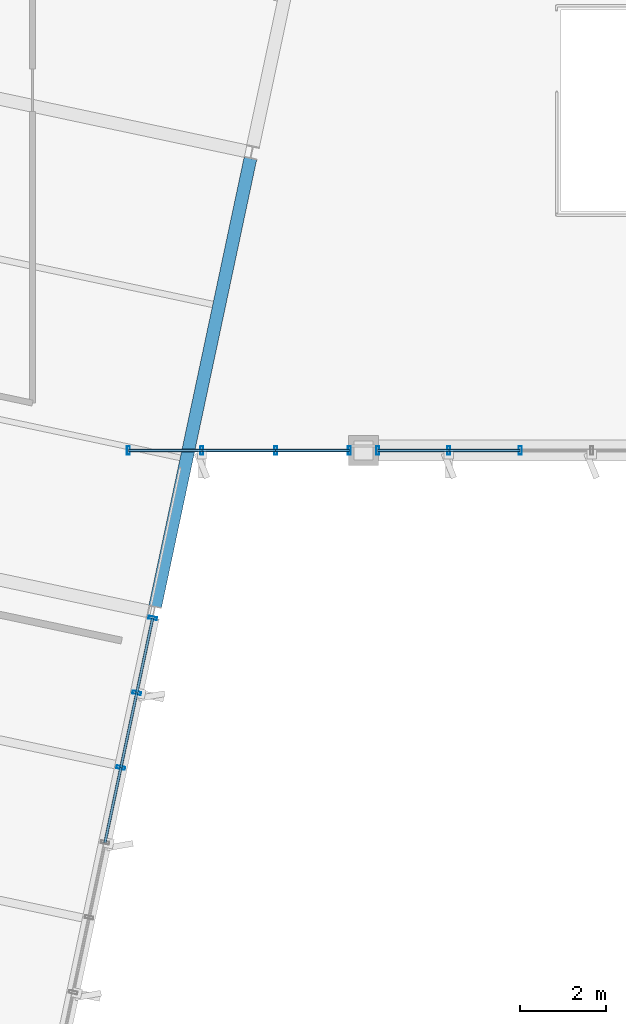
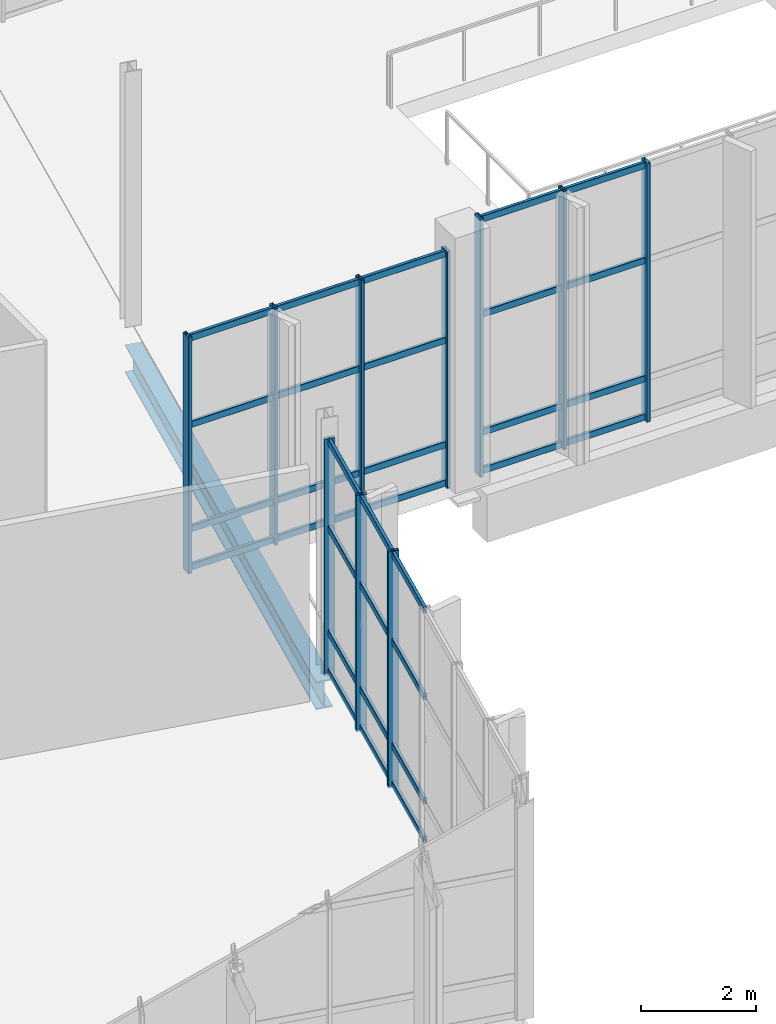
# One storey, part 27 of 176: 42 members, 1 beam, 3 elements without a shape of their own.
"""IFC4 building model written with IfcOpenShell, lengths in metres."""

from ifc_helpers import new_model, si_unit, direction, frame, origin, origin_2d, place, context, subcontext, project, spatial, hollow_rectangle, i_section, extrude, material, layer, layer_set, material_profile, profile_set, type_object, element, aggregate, save


model = new_model("IFC4")

# Units and contexts
model_context = context("Model", 3, precision=1e-05, world=origin(), true_north=direction((0.0, 1.0)))
body_context = subcontext(model_context, "Body", "Model", "MODEL_VIEW")
ifc_project = project(units=[si_unit("LENGTHUNIT", "METRE"), si_unit("AREAUNIT", "SQUARE_METRE"), si_unit("VOLUMEUNIT", "CUBIC_METRE"), si_unit("PLANEANGLEUNIT", "RADIAN"), si_unit("MASSUNIT", "GRAM", prefix="KILO")], contexts=[model_context])

# Site, building, storey
site_placement = place(None, origin())
site = spatial("IfcSite", under=ifc_project, at=site_placement, CompositionType="ELEMENT")
building_placement = place(site_placement, origin())
building = spatial("IfcBuilding", under=site, at=building_placement, Name="Khorjan Park Terminus", CompositionType="ELEMENT")
storey_placement = place(building_placement, frame((0.0, 0.0, 6.0)))
storey = spatial("IfcBuildingStorey", under=building, at=storey_placement, Name="L01", CompositionType="ELEMENT", Elevation=6.0)

# Beam
ifc_material_1 = material(Name="Steel S355", Category="steel")
ifc_material_profile_1 = material_profile(ifc_material_1, i_section(OverallWidth=0.3, OverallDepth=0.59, WebThickness=0.013, FlangeThickness=0.025, FilletRadius=0.027, at=origin_2d()), Name="HEA 600")
ifc_profile_set_1 = profile_set([ifc_material_profile_1], Name="Steel S355")
beam_type = type_object("IfcBeamType", Name="BM-HEA600", PredefinedType="BEAM", material=ifc_profile_set_1)
beam_placement = place(storey_placement, frame((27.1288, 46.3522, -0.655), z_axis=(0.207916823947, 0.978146509639, 0.0), x_axis=(-0.978146509639, 0.207916823947, 0.0)))
element("IfcBeam", 1, at=beam_placement, inside=storey, type_object=beam_type, Name="Primary skew-grid floor girder SB-A60 (L01)", PredefinedType="BEAM", context=body_context, shape_type="SweptSolid", body=[
    extrude(i_section(OverallWidth=0.3, OverallDepth=0.59, WebThickness=0.013, FlangeThickness=0.025, FilletRadius=0.027, at=origin_2d()), origin(), (0.0, 0.0, 1.0), 10.7101),
])

# Curtain wall, members
ifc_material_2 = material(Name="Anodized Bronze Aluminium", Category="aluminium")
ifc_layer = layer(ifc_material_2, 0.22)
ifc_layer_set = layer_set([ifc_layer], Name="Anodized Bronze Aluminium")
curtain_wall_type = type_object("IfcCurtainWallType", Name="CW-PAV-C", PredefinedType="NOTDEFINED", material=ifc_layer_set)
curtain_wall_1_placement = place(storey_placement, origin())
curtain_wall_1 = element("IfcCurtainWall", 2, at=curtain_wall_1_placement, inside=storey, type_object=curtain_wall_type, Name="Unitized curtain wall CW-C (CW-V4L-S-L01-1)", PredefinedType="NOTDEFINED")
ifc_material_profile_2 = material_profile(ifc_material_2, hollow_rectangle(XDim=0.07, YDim=0.2, WallThickness=0.005, InnerFilletRadius=0.005, OuterFilletRadius=0.01, at=origin_2d()), Name="ALM 70x200x5")
ifc_profile_set_2 = profile_set([ifc_material_profile_2], Name="Anodized Bronze Aluminium")
member_type_1 = type_object("IfcMemberType", Name="ML-ALM-200", PredefinedType="MULLION", material=ifc_profile_set_2)
member_1_placement = place(storey_placement, frame((26.5, 50.0, -0.035), z_axis=(0.0, 0.0, 1.0), x_axis=(1.0, 0.0, 0.0)))
member_1 = element("IfcMember", 3, at=member_1_placement, type_object=member_type_1, Name="Curtain-wall mullion ML-20 (CW-V4L-S-L01-1-0)", PredefinedType="MULLION", context=body_context, shape_type="SweptSolid", body=[
    extrude(hollow_rectangle(XDim=0.07, YDim=0.2, WallThickness=0.005, InnerFilletRadius=0.005, OuterFilletRadius=0.01, at=origin_2d()), origin(), (0.0, 0.0, 1.0), 5.0),
])
member_2_placement = place(storey_placement, frame((28.2233, 50.0, -0.035), z_axis=(0.0, 0.0, 1.0), x_axis=(1.0, 0.0, 0.0)))
member_2 = element("IfcMember", 4, at=member_2_placement, type_object=member_type_1, Name="Curtain-wall mullion ML-20 (CW-V4L-S-L01-1-1)", PredefinedType="MULLION", context=body_context, shape_type="SweptSolid", body=[
    extrude(hollow_rectangle(XDim=0.07, YDim=0.2, WallThickness=0.005, InnerFilletRadius=0.005, OuterFilletRadius=0.01, at=origin_2d()), origin(), (0.0, 0.0, 1.0), 5.0),
])
member_3_placement = place(storey_placement, frame((29.9467, 50.0, -0.035), z_axis=(0.0, 0.0, 1.0), x_axis=(1.0, 0.0, 0.0)))
member_3 = element("IfcMember", 5, at=member_3_placement, type_object=member_type_1, Name="Curtain-wall mullion ML-20 (CW-V4L-S-L01-1-2)", PredefinedType="MULLION", context=body_context, shape_type="SweptSolid", body=[
    extrude(hollow_rectangle(XDim=0.07, YDim=0.2, WallThickness=0.005, InnerFilletRadius=0.005, OuterFilletRadius=0.01, at=origin_2d()), origin(), (0.0, 0.0, 1.0), 5.0),
])
member_4_placement = place(storey_placement, frame((31.67, 50.0, -0.035), z_axis=(0.0, 0.0, 1.0), x_axis=(1.0, 0.0, 0.0)))
member_4 = element("IfcMember", 6, at=member_4_placement, type_object=member_type_1, Name="Curtain-wall mullion ML-20 (CW-V4L-S-L01-1-3)", PredefinedType="MULLION", context=body_context, shape_type="SweptSolid", body=[
    extrude(hollow_rectangle(XDim=0.07, YDim=0.2, WallThickness=0.005, InnerFilletRadius=0.005, OuterFilletRadius=0.01, at=origin_2d()), origin(), (0.0, 0.0, 1.0), 5.0),
])

curtain_wall_2_placement = place(storey_placement, origin())
curtain_wall_2 = element("IfcCurtainWall", 7, at=curtain_wall_2_placement, inside=storey, type_object=curtain_wall_type, Name="Unitized curtain wall CW-C (CW-V4L-S-L01-2)", PredefinedType="NOTDEFINED")
member_5_placement = place(storey_placement, frame((32.33, 50.0, -0.035), z_axis=(0.0, 0.0, 1.0), x_axis=(1.0, 0.0, 0.0)))
member_5 = element("IfcMember", 8, at=member_5_placement, type_object=member_type_1, Name="Curtain-wall mullion ML-20 (CW-V4L-S-L01-2-0)", PredefinedType="MULLION", context=body_context, shape_type="SweptSolid", body=[
    extrude(hollow_rectangle(XDim=0.07, YDim=0.2, WallThickness=0.005, InnerFilletRadius=0.005, OuterFilletRadius=0.01, at=origin_2d()), origin(), (0.0, 0.0, 1.0), 5.47),
])
member_6_placement = place(storey_placement, frame((33.998, 50.0, -0.035), z_axis=(0.0, 0.0, 1.0), x_axis=(1.0, 0.0, 0.0)))
member_6 = element("IfcMember", 9, at=member_6_placement, type_object=member_type_1, Name="Curtain-wall mullion ML-20 (CW-V4L-S-L01-2-1)", PredefinedType="MULLION", context=body_context, shape_type="SweptSolid", body=[
    extrude(hollow_rectangle(XDim=0.07, YDim=0.2, WallThickness=0.005, InnerFilletRadius=0.005, OuterFilletRadius=0.01, at=origin_2d()), origin(), (0.0, 0.0, 1.0), 5.47),
])
member_7_placement = place(storey_placement, frame((35.666, 50.0, -0.035), z_axis=(0.0, 0.0, 1.0), x_axis=(1.0, 0.0, 0.0)))
member_7 = element("IfcMember", 10, at=member_7_placement, type_object=member_type_1, Name="Curtain-wall mullion ML-20 (CW-V4L-S-L01-2-2)", PredefinedType="MULLION", context=body_context, shape_type="SweptSolid", body=[
    extrude(hollow_rectangle(XDim=0.07, YDim=0.2, WallThickness=0.005, InnerFilletRadius=0.005, OuterFilletRadius=0.01, at=origin_2d()), origin(), (0.0, 0.0, 1.0), 5.47),
])

curtain_wall_3_placement = place(storey_placement, origin())
curtain_wall_3 = element("IfcCurtainWall", 11, at=curtain_wall_3_placement, inside=storey, type_object=curtain_wall_type, Name="Unitized curtain wall CW-C (CW-V4-E-L01-B01)", PredefinedType="NOTDEFINED")
member_8_placement = place(storey_placement, frame((26.3273, 42.5813, -0.035), z_axis=(0.0, 0.0, 1.0), x_axis=(0.207916776669, 0.978146519689, 0.0)))
member_8 = element("IfcMember", 12, at=member_8_placement, type_object=member_type_1, Name="Curtain-wall mullion ML-20 (CW-V4-E-L01-B01-4)", PredefinedType="MULLION", context=body_context, shape_type="SweptSolid", body=[
    extrude(hollow_rectangle(XDim=0.07, YDim=0.2, WallThickness=0.005, InnerFilletRadius=0.005, OuterFilletRadius=0.01, at=origin_2d()), origin(), (0.0, 0.0, 1.0), 5.0),
])
member_9_placement = place(storey_placement, frame((26.6994, 44.3321, -0.035), z_axis=(0.0, 0.0, 1.0), x_axis=(0.207916776669, 0.978146519689, 0.0)))
member_9 = element("IfcMember", 13, at=member_9_placement, type_object=member_type_1, Name="Curtain-wall mullion ML-20 (CW-V4-E-L01-B01-5)", PredefinedType="MULLION", context=body_context, shape_type="SweptSolid", body=[
    extrude(hollow_rectangle(XDim=0.07, YDim=0.2, WallThickness=0.005, InnerFilletRadius=0.005, OuterFilletRadius=0.01, at=origin_2d()), origin(), (0.0, 0.0, 1.0), 5.0),
])
member_10_placement = place(storey_placement, frame((27.0716, 46.0829, -0.035), z_axis=(0.0, 0.0, 1.0), x_axis=(0.207916776669, 0.978146519689, 0.0)))
member_10 = element("IfcMember", 14, at=member_10_placement, type_object=member_type_1, Name="Curtain-wall mullion ML-20 (CW-V4-E-L01-B01-6)", PredefinedType="MULLION", context=body_context, shape_type="SweptSolid", body=[
    extrude(hollow_rectangle(XDim=0.07, YDim=0.2, WallThickness=0.005, InnerFilletRadius=0.005, OuterFilletRadius=0.01, at=origin_2d()), origin(), (0.0, 0.0, 1.0), 5.0),
])

# Member
ifc_material_profile_3 = material_profile(ifc_material_2, hollow_rectangle(XDim=0.065, YDim=0.14, WallThickness=0.004, InnerFilletRadius=0.004, OuterFilletRadius=0.008, at=origin_2d()), Name="ALT 65x140x4")
ifc_profile_set_3 = profile_set([ifc_material_profile_3], Name="Anodized Bronze Aluminium")
member_type_2 = type_object("IfcMemberType", Name="TR-ALT-140", PredefinedType="USERDEFINED", material=ifc_profile_set_3)
member_11_placement = place(storey_placement, frame((26.5, 50.0, 0.04), z_axis=(1.0, 0.0, 0.0), x_axis=(0.0, 1.0, 0.0)))
member_11 = element("IfcMember", 15, at=member_11_placement, type_object=member_type_2, Name="Curtain-wall transom TR-14 (CW-V4L-S-L01-1-0-1)", ObjectType="TRANSOM", PredefinedType="USERDEFINED", context=body_context, shape_type="SweptSolid", body=[
    extrude(hollow_rectangle(XDim=0.065, YDim=0.14, WallThickness=0.004, InnerFilletRadius=0.004, OuterFilletRadius=0.008, at=origin_2d()), origin(), (0.0, 0.0, 1.0), 1.7233),
])

member_12_placement = place(storey_placement, frame((26.5, 50.0, 0.85), z_axis=(1.0, 0.0, 0.0), x_axis=(0.0, 1.0, 0.0)))
member_12 = element("IfcMember", 16, at=member_12_placement, type_object=member_type_2, Name="Curtain-wall transom TR-14 (CW-V4L-S-L01-1-0-2)", ObjectType="TRANSOM", PredefinedType="USERDEFINED", context=body_context, shape_type="SweptSolid", body=[
    extrude(hollow_rectangle(XDim=0.065, YDim=0.14, WallThickness=0.004, InnerFilletRadius=0.004, OuterFilletRadius=0.008, at=origin_2d()), origin(), (0.0, 0.0, 1.0), 1.7233),
])

member_13_placement = place(storey_placement, frame((26.5, 50.0, 3.0566), z_axis=(1.0, 0.0, 0.0), x_axis=(0.0, 1.0, 0.0)))
member_13 = element("IfcMember", 17, at=member_13_placement, type_object=member_type_2, Name="Curtain-wall transom TR-14 (CW-V4L-S-L01-1-0-3)", ObjectType="TRANSOM", PredefinedType="USERDEFINED", context=body_context, shape_type="SweptSolid", body=[
    extrude(hollow_rectangle(XDim=0.065, YDim=0.14, WallThickness=0.004, InnerFilletRadius=0.004, OuterFilletRadius=0.008, at=origin_2d()), origin(), (0.0, 0.0, 1.0), 1.7233),
])

member_14_placement = place(storey_placement, frame((26.5, 50.0, 4.89), z_axis=(1.0, 0.0, 0.0), x_axis=(0.0, 1.0, 0.0)))
member_14 = element("IfcMember", 18, at=member_14_placement, type_object=member_type_2, Name="Curtain-wall transom TR-14 (CW-V4L-S-L01-1-0-4)", ObjectType="TRANSOM", PredefinedType="USERDEFINED", context=body_context, shape_type="SweptSolid", body=[
    extrude(hollow_rectangle(XDim=0.065, YDim=0.14, WallThickness=0.004, InnerFilletRadius=0.004, OuterFilletRadius=0.008, at=origin_2d()), origin(), (0.0, 0.0, 1.0), 1.7233),
])

member_15_placement = place(storey_placement, frame((28.2233, 50.0, 0.04), z_axis=(1.0, 0.0, 0.0), x_axis=(0.0, 1.0, 0.0)))
member_15 = element("IfcMember", 19, at=member_15_placement, type_object=member_type_2, Name="Curtain-wall transom TR-14 (CW-V4L-S-L01-1-1-1)", ObjectType="TRANSOM", PredefinedType="USERDEFINED", context=body_context, shape_type="SweptSolid", body=[
    extrude(hollow_rectangle(XDim=0.065, YDim=0.14, WallThickness=0.004, InnerFilletRadius=0.004, OuterFilletRadius=0.008, at=origin_2d()), origin(), (0.0, 0.0, 1.0), 1.7234),
])

member_16_placement = place(storey_placement, frame((28.2233, 50.0, 0.85), z_axis=(1.0, 0.0, 0.0), x_axis=(0.0, 1.0, 0.0)))
member_16 = element("IfcMember", 20, at=member_16_placement, type_object=member_type_2, Name="Curtain-wall transom TR-14 (CW-V4L-S-L01-1-1-2)", ObjectType="TRANSOM", PredefinedType="USERDEFINED", context=body_context, shape_type="SweptSolid", body=[
    extrude(hollow_rectangle(XDim=0.065, YDim=0.14, WallThickness=0.004, InnerFilletRadius=0.004, OuterFilletRadius=0.008, at=origin_2d()), origin(), (0.0, 0.0, 1.0), 1.7234),
])

member_17_placement = place(storey_placement, frame((28.2233, 50.0, 3.0566), z_axis=(1.0, 0.0, 0.0), x_axis=(0.0, 1.0, 0.0)))
member_17 = element("IfcMember", 21, at=member_17_placement, type_object=member_type_2, Name="Curtain-wall transom TR-14 (CW-V4L-S-L01-1-1-3)", ObjectType="TRANSOM", PredefinedType="USERDEFINED", context=body_context, shape_type="SweptSolid", body=[
    extrude(hollow_rectangle(XDim=0.065, YDim=0.14, WallThickness=0.004, InnerFilletRadius=0.004, OuterFilletRadius=0.008, at=origin_2d()), origin(), (0.0, 0.0, 1.0), 1.7234),
])

member_18_placement = place(storey_placement, frame((28.2233, 50.0, 4.89), z_axis=(1.0, 0.0, 0.0), x_axis=(0.0, 1.0, 0.0)))
member_18 = element("IfcMember", 22, at=member_18_placement, type_object=member_type_2, Name="Curtain-wall transom TR-14 (CW-V4L-S-L01-1-1-4)", ObjectType="TRANSOM", PredefinedType="USERDEFINED", context=body_context, shape_type="SweptSolid", body=[
    extrude(hollow_rectangle(XDim=0.065, YDim=0.14, WallThickness=0.004, InnerFilletRadius=0.004, OuterFilletRadius=0.008, at=origin_2d()), origin(), (0.0, 0.0, 1.0), 1.7234),
])

member_19_placement = place(storey_placement, frame((29.9467, 50.0, 0.04), z_axis=(1.0, 0.0, 0.0), x_axis=(0.0, 1.0, 0.0)))
member_19 = element("IfcMember", 23, at=member_19_placement, type_object=member_type_2, Name="Curtain-wall transom TR-14 (CW-V4L-S-L01-1-2-1)", ObjectType="TRANSOM", PredefinedType="USERDEFINED", context=body_context, shape_type="SweptSolid", body=[
    extrude(hollow_rectangle(XDim=0.065, YDim=0.14, WallThickness=0.004, InnerFilletRadius=0.004, OuterFilletRadius=0.008, at=origin_2d()), origin(), (0.0, 0.0, 1.0), 1.7233),
])

member_20_placement = place(storey_placement, frame((29.9467, 50.0, 0.85), z_axis=(1.0, 0.0, 0.0), x_axis=(0.0, 1.0, 0.0)))
member_20 = element("IfcMember", 24, at=member_20_placement, type_object=member_type_2, Name="Curtain-wall transom TR-14 (CW-V4L-S-L01-1-2-2)", ObjectType="TRANSOM", PredefinedType="USERDEFINED", context=body_context, shape_type="SweptSolid", body=[
    extrude(hollow_rectangle(XDim=0.065, YDim=0.14, WallThickness=0.004, InnerFilletRadius=0.004, OuterFilletRadius=0.008, at=origin_2d()), origin(), (0.0, 0.0, 1.0), 1.7233),
])

member_21_placement = place(storey_placement, frame((29.9467, 50.0, 3.0566), z_axis=(1.0, 0.0, 0.0), x_axis=(0.0, 1.0, 0.0)))
member_21 = element("IfcMember", 25, at=member_21_placement, type_object=member_type_2, Name="Curtain-wall transom TR-14 (CW-V4L-S-L01-1-2-3)", ObjectType="TRANSOM", PredefinedType="USERDEFINED", context=body_context, shape_type="SweptSolid", body=[
    extrude(hollow_rectangle(XDim=0.065, YDim=0.14, WallThickness=0.004, InnerFilletRadius=0.004, OuterFilletRadius=0.008, at=origin_2d()), origin(), (0.0, 0.0, 1.0), 1.7233),
])

member_22_placement = place(storey_placement, frame((29.9467, 50.0, 4.89), z_axis=(1.0, 0.0, 0.0), x_axis=(0.0, 1.0, 0.0)))
member_22 = element("IfcMember", 26, at=member_22_placement, type_object=member_type_2, Name="Curtain-wall transom TR-14 (CW-V4L-S-L01-1-2-4)", ObjectType="TRANSOM", PredefinedType="USERDEFINED", context=body_context, shape_type="SweptSolid", body=[
    extrude(hollow_rectangle(XDim=0.065, YDim=0.14, WallThickness=0.004, InnerFilletRadius=0.004, OuterFilletRadius=0.008, at=origin_2d()), origin(), (0.0, 0.0, 1.0), 1.7233),
])

aggregate(curtain_wall_1, [member_1, member_2, member_3, member_4, member_11, member_12, member_13, member_14, member_15, member_16, member_17, member_18, member_19, member_20, member_21, member_22])

member_23_placement = place(storey_placement, frame((32.33, 50.0, 0.04), z_axis=(1.0, 0.0, 0.0), x_axis=(0.0, 1.0, 0.0)))
member_23 = element("IfcMember", 27, at=member_23_placement, type_object=member_type_2, Name="Curtain-wall transom TR-14 (CW-V4L-S-L01-2-0-1)", ObjectType="TRANSOM", PredefinedType="USERDEFINED", context=body_context, shape_type="SweptSolid", body=[
    extrude(hollow_rectangle(XDim=0.065, YDim=0.14, WallThickness=0.004, InnerFilletRadius=0.004, OuterFilletRadius=0.008, at=origin_2d()), origin(), (0.0, 0.0, 1.0), 1.668),
])

member_24_placement = place(storey_placement, frame((32.33, 50.0, 0.85), z_axis=(1.0, 0.0, 0.0), x_axis=(0.0, 1.0, 0.0)))
member_24 = element("IfcMember", 28, at=member_24_placement, type_object=member_type_2, Name="Curtain-wall transom TR-14 (CW-V4L-S-L01-2-0-2)", ObjectType="TRANSOM", PredefinedType="USERDEFINED", context=body_context, shape_type="SweptSolid", body=[
    extrude(hollow_rectangle(XDim=0.065, YDim=0.14, WallThickness=0.004, InnerFilletRadius=0.004, OuterFilletRadius=0.008, at=origin_2d()), origin(), (0.0, 0.0, 1.0), 1.668),
])

member_25_placement = place(storey_placement, frame((32.33, 50.0, 3.348), z_axis=(1.0, 0.0, 0.0), x_axis=(0.0, 1.0, 0.0)))
member_25 = element("IfcMember", 29, at=member_25_placement, type_object=member_type_2, Name="Curtain-wall transom TR-14 (CW-V4L-S-L01-2-0-3)", ObjectType="TRANSOM", PredefinedType="USERDEFINED", context=body_context, shape_type="SweptSolid", body=[
    extrude(hollow_rectangle(XDim=0.065, YDim=0.14, WallThickness=0.004, InnerFilletRadius=0.004, OuterFilletRadius=0.008, at=origin_2d()), origin(), (0.0, 0.0, 1.0), 1.668),
])

member_26_placement = place(storey_placement, frame((32.33, 50.0, 5.36), z_axis=(1.0, 0.0, 0.0), x_axis=(0.0, 1.0, 0.0)))
member_26 = element("IfcMember", 30, at=member_26_placement, type_object=member_type_2, Name="Curtain-wall transom TR-14 (CW-V4L-S-L01-2-0-4)", ObjectType="TRANSOM", PredefinedType="USERDEFINED", context=body_context, shape_type="SweptSolid", body=[
    extrude(hollow_rectangle(XDim=0.065, YDim=0.14, WallThickness=0.004, InnerFilletRadius=0.004, OuterFilletRadius=0.008, at=origin_2d()), origin(), (0.0, 0.0, 1.0), 1.668),
])

member_27_placement = place(storey_placement, frame((33.998, 50.0, 0.04), z_axis=(1.0, 0.0, 0.0), x_axis=(0.0, 1.0, 0.0)))
member_27 = element("IfcMember", 31, at=member_27_placement, type_object=member_type_2, Name="Curtain-wall transom TR-14 (CW-V4L-S-L01-2-1-1)", ObjectType="TRANSOM", PredefinedType="USERDEFINED", context=body_context, shape_type="SweptSolid", body=[
    extrude(hollow_rectangle(XDim=0.065, YDim=0.14, WallThickness=0.004, InnerFilletRadius=0.004, OuterFilletRadius=0.008, at=origin_2d()), origin(), (0.0, 0.0, 1.0), 1.668),
])

member_28_placement = place(storey_placement, frame((33.998, 50.0, 0.85), z_axis=(1.0, 0.0, 0.0), x_axis=(0.0, 1.0, 0.0)))
member_28 = element("IfcMember", 32, at=member_28_placement, type_object=member_type_2, Name="Curtain-wall transom TR-14 (CW-V4L-S-L01-2-1-2)", ObjectType="TRANSOM", PredefinedType="USERDEFINED", context=body_context, shape_type="SweptSolid", body=[
    extrude(hollow_rectangle(XDim=0.065, YDim=0.14, WallThickness=0.004, InnerFilletRadius=0.004, OuterFilletRadius=0.008, at=origin_2d()), origin(), (0.0, 0.0, 1.0), 1.668),
])

member_29_placement = place(storey_placement, frame((33.998, 50.0, 3.348), z_axis=(1.0, 0.0, 0.0), x_axis=(0.0, 1.0, 0.0)))
member_29 = element("IfcMember", 33, at=member_29_placement, type_object=member_type_2, Name="Curtain-wall transom TR-14 (CW-V4L-S-L01-2-1-3)", ObjectType="TRANSOM", PredefinedType="USERDEFINED", context=body_context, shape_type="SweptSolid", body=[
    extrude(hollow_rectangle(XDim=0.065, YDim=0.14, WallThickness=0.004, InnerFilletRadius=0.004, OuterFilletRadius=0.008, at=origin_2d()), origin(), (0.0, 0.0, 1.0), 1.668),
])

member_30_placement = place(storey_placement, frame((33.998, 50.0, 5.36), z_axis=(1.0, 0.0, 0.0), x_axis=(0.0, 1.0, 0.0)))
member_30 = element("IfcMember", 34, at=member_30_placement, type_object=member_type_2, Name="Curtain-wall transom TR-14 (CW-V4L-S-L01-2-1-4)", ObjectType="TRANSOM", PredefinedType="USERDEFINED", context=body_context, shape_type="SweptSolid", body=[
    extrude(hollow_rectangle(XDim=0.065, YDim=0.14, WallThickness=0.004, InnerFilletRadius=0.004, OuterFilletRadius=0.008, at=origin_2d()), origin(), (0.0, 0.0, 1.0), 1.668),
])

aggregate(curtain_wall_2, [member_5, member_6, member_7, member_23, member_24, member_25, member_26, member_27, member_28, member_29, member_30])

member_31_placement = place(storey_placement, frame((25.9551, 40.8306, 0.04), z_axis=(0.207952973461, 0.978138824927, 0.0), x_axis=(-0.978138824927, 0.207952973461, 0.0)))
member_31 = element("IfcMember", 35, at=member_31_placement, type_object=member_type_2, Name="Curtain-wall transom TR-14 (CW-V4-E-L01-B01-3-1)", ObjectType="TRANSOM", PredefinedType="USERDEFINED", context=body_context, shape_type="SweptSolid", body=[
    extrude(hollow_rectangle(XDim=0.065, YDim=0.14, WallThickness=0.004, InnerFilletRadius=0.004, OuterFilletRadius=0.008, at=origin_2d()), origin(), (0.0, 0.0, 1.0), 1.7898),
])

member_32_placement = place(storey_placement, frame((25.9551, 40.8306, 0.85), z_axis=(0.207952973461, 0.978138824927, 0.0), x_axis=(-0.978138824927, 0.207952973461, 0.0)))
member_32 = element("IfcMember", 36, at=member_32_placement, type_object=member_type_2, Name="Curtain-wall transom TR-14 (CW-V4-E-L01-B01-3-2)", ObjectType="TRANSOM", PredefinedType="USERDEFINED", context=body_context, shape_type="SweptSolid", body=[
    extrude(hollow_rectangle(XDim=0.065, YDim=0.14, WallThickness=0.004, InnerFilletRadius=0.004, OuterFilletRadius=0.008, at=origin_2d()), origin(), (0.0, 0.0, 1.0), 1.7898),
])

member_33_placement = place(storey_placement, frame((25.9551, 40.8306, 3.0566), z_axis=(0.207952973461, 0.978138824927, 0.0), x_axis=(-0.978138824927, 0.207952973461, 0.0)))
member_33 = element("IfcMember", 37, at=member_33_placement, type_object=member_type_2, Name="Curtain-wall transom TR-14 (CW-V4-E-L01-B01-3-3)", ObjectType="TRANSOM", PredefinedType="USERDEFINED", context=body_context, shape_type="SweptSolid", body=[
    extrude(hollow_rectangle(XDim=0.065, YDim=0.14, WallThickness=0.004, InnerFilletRadius=0.004, OuterFilletRadius=0.008, at=origin_2d()), origin(), (0.0, 0.0, 1.0), 1.7898),
])

member_34_placement = place(storey_placement, frame((25.9551, 40.8306, 4.89), z_axis=(0.207952973461, 0.978138824927, 0.0), x_axis=(-0.978138824927, 0.207952973461, 0.0)))
member_34 = element("IfcMember", 38, at=member_34_placement, type_object=member_type_2, Name="Curtain-wall transom TR-14 (CW-V4-E-L01-B01-3-4)", ObjectType="TRANSOM", PredefinedType="USERDEFINED", context=body_context, shape_type="SweptSolid", body=[
    extrude(hollow_rectangle(XDim=0.065, YDim=0.14, WallThickness=0.004, InnerFilletRadius=0.004, OuterFilletRadius=0.008, at=origin_2d()), origin(), (0.0, 0.0, 1.0), 1.7898),
])

member_35_placement = place(storey_placement, frame((26.3273, 42.5813, 0.04), z_axis=(0.207888156011, 0.978152602915, 0.0), x_axis=(-0.978152602915, 0.207888156011, 0.0)))
member_35 = element("IfcMember", 39, at=member_35_placement, type_object=member_type_2, Name="Curtain-wall transom TR-14 (CW-V4-E-L01-B01-4-1)", ObjectType="TRANSOM", PredefinedType="USERDEFINED", context=body_context, shape_type="SweptSolid", body=[
    extrude(hollow_rectangle(XDim=0.065, YDim=0.14, WallThickness=0.004, InnerFilletRadius=0.004, OuterFilletRadius=0.008, at=origin_2d()), origin(), (0.0, 0.0, 1.0), 1.7899),
])

member_36_placement = place(storey_placement, frame((26.3273, 42.5813, 0.85), z_axis=(0.207888156011, 0.978152602915, 0.0), x_axis=(-0.978152602915, 0.207888156011, 0.0)))
member_36 = element("IfcMember", 40, at=member_36_placement, type_object=member_type_2, Name="Curtain-wall transom TR-14 (CW-V4-E-L01-B01-4-2)", ObjectType="TRANSOM", PredefinedType="USERDEFINED", context=body_context, shape_type="SweptSolid", body=[
    extrude(hollow_rectangle(XDim=0.065, YDim=0.14, WallThickness=0.004, InnerFilletRadius=0.004, OuterFilletRadius=0.008, at=origin_2d()), origin(), (0.0, 0.0, 1.0), 1.7899),
])

member_37_placement = place(storey_placement, frame((26.3273, 42.5813, 3.0566), z_axis=(0.207888156011, 0.978152602915, 0.0), x_axis=(-0.978152602915, 0.207888156011, 0.0)))
member_37 = element("IfcMember", 41, at=member_37_placement, type_object=member_type_2, Name="Curtain-wall transom TR-14 (CW-V4-E-L01-B01-4-3)", ObjectType="TRANSOM", PredefinedType="USERDEFINED", context=body_context, shape_type="SweptSolid", body=[
    extrude(hollow_rectangle(XDim=0.065, YDim=0.14, WallThickness=0.004, InnerFilletRadius=0.004, OuterFilletRadius=0.008, at=origin_2d()), origin(), (0.0, 0.0, 1.0), 1.7899),
])

member_38_placement = place(storey_placement, frame((26.3273, 42.5813, 4.89), z_axis=(0.207888156011, 0.978152602915, 0.0), x_axis=(-0.978152602915, 0.207888156011, 0.0)))
member_38 = element("IfcMember", 42, at=member_38_placement, type_object=member_type_2, Name="Curtain-wall transom TR-14 (CW-V4-E-L01-B01-4-4)", ObjectType="TRANSOM", PredefinedType="USERDEFINED", context=body_context, shape_type="SweptSolid", body=[
    extrude(hollow_rectangle(XDim=0.065, YDim=0.14, WallThickness=0.004, InnerFilletRadius=0.004, OuterFilletRadius=0.008, at=origin_2d()), origin(), (0.0, 0.0, 1.0), 1.7899),
])

member_39_placement = place(storey_placement, frame((26.6994, 44.3321, 0.04), z_axis=(0.207941609461, 0.978141240852, 0.0), x_axis=(-0.978141240852, 0.207941609461, 0.0)))
member_39 = element("IfcMember", 43, at=member_39_placement, type_object=member_type_2, Name="Curtain-wall transom TR-14 (CW-V4-E-L01-B01-5-1)", ObjectType="TRANSOM", PredefinedType="USERDEFINED", context=body_context, shape_type="SweptSolid", body=[
    extrude(hollow_rectangle(XDim=0.065, YDim=0.14, WallThickness=0.004, InnerFilletRadius=0.004, OuterFilletRadius=0.008, at=origin_2d()), origin(), (0.0, 0.0, 1.0), 1.7899),
])

member_40_placement = place(storey_placement, frame((26.6994, 44.3321, 0.85), z_axis=(0.207941609461, 0.978141240852, 0.0), x_axis=(-0.978141240852, 0.207941609461, 0.0)))
member_40 = element("IfcMember", 44, at=member_40_placement, type_object=member_type_2, Name="Curtain-wall transom TR-14 (CW-V4-E-L01-B01-5-2)", ObjectType="TRANSOM", PredefinedType="USERDEFINED", context=body_context, shape_type="SweptSolid", body=[
    extrude(hollow_rectangle(XDim=0.065, YDim=0.14, WallThickness=0.004, InnerFilletRadius=0.004, OuterFilletRadius=0.008, at=origin_2d()), origin(), (0.0, 0.0, 1.0), 1.7899),
])

member_41_placement = place(storey_placement, frame((26.6994, 44.3321, 3.0566), z_axis=(0.207941609461, 0.978141240852, 0.0), x_axis=(-0.978141240852, 0.207941609461, 0.0)))
member_41 = element("IfcMember", 45, at=member_41_placement, type_object=member_type_2, Name="Curtain-wall transom TR-14 (CW-V4-E-L01-B01-5-3)", ObjectType="TRANSOM", PredefinedType="USERDEFINED", context=body_context, shape_type="SweptSolid", body=[
    extrude(hollow_rectangle(XDim=0.065, YDim=0.14, WallThickness=0.004, InnerFilletRadius=0.004, OuterFilletRadius=0.008, at=origin_2d()), origin(), (0.0, 0.0, 1.0), 1.7899),
])

member_42_placement = place(storey_placement, frame((26.6994, 44.3321, 4.89), z_axis=(0.207941609461, 0.978141240852, 0.0), x_axis=(-0.978141240852, 0.207941609461, 0.0)))
member_42 = element("IfcMember", 46, at=member_42_placement, type_object=member_type_2, Name="Curtain-wall transom TR-14 (CW-V4-E-L01-B01-5-4)", ObjectType="TRANSOM", PredefinedType="USERDEFINED", context=body_context, shape_type="SweptSolid", body=[
    extrude(hollow_rectangle(XDim=0.065, YDim=0.14, WallThickness=0.004, InnerFilletRadius=0.004, OuterFilletRadius=0.008, at=origin_2d()), origin(), (0.0, 0.0, 1.0), 1.7899),
])

aggregate(curtain_wall_3, [member_8, member_9, member_10, member_31, member_32, member_33, member_34, member_35, member_36, member_37, member_38, member_39, member_40, member_41, member_42])

save(model, "model.ifc")
